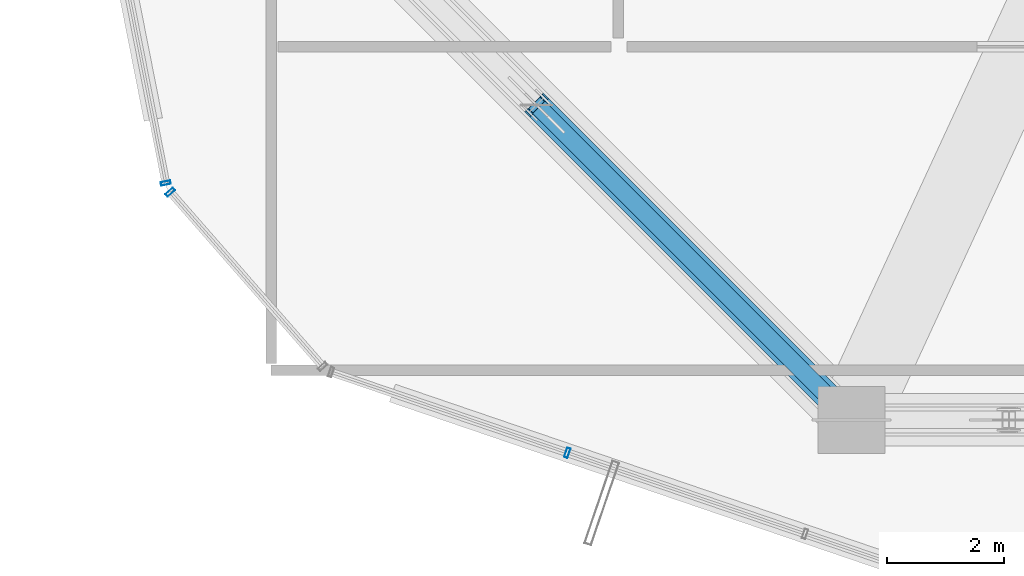
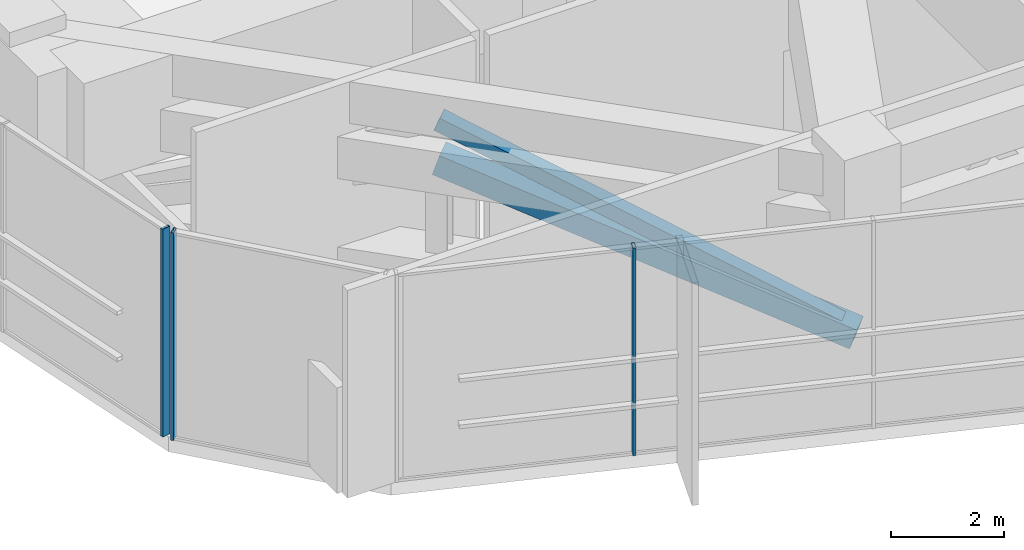
# One storey, part 4 of 36: 5 members, 3 elements without a shape of their own.
"""IFC4 building model written with IfcOpenShell, lengths in metres."""

from ifc_helpers import new_model, si_unit, direction, frame, origin, origin_2d, place, context, subcontext, project, spatial, hollow_rectangle, extrude, source, transform, mapped, material, layer, layer_set, material_profile, profile_set, type_object, element, aggregate, save


model = new_model("IFC4")

# Units and contexts
model_context = context("Model", 3, precision=1e-05, world=origin(), true_north=direction((0.0, 1.0)))
body_context = subcontext(model_context, "Body", "Model", "MODEL_VIEW")
ifc_project = project(units=[si_unit("LENGTHUNIT", "METRE"), si_unit("AREAUNIT", "SQUARE_METRE"), si_unit("VOLUMEUNIT", "CUBIC_METRE"), si_unit("PLANEANGLEUNIT", "RADIAN"), si_unit("MASSUNIT", "GRAM", prefix="KILO")], contexts=[model_context])

# Site, building, storey
site_placement = place(None, origin())
site = spatial("IfcSite", under=ifc_project, at=site_placement, CompositionType="ELEMENT")
building_placement = place(site_placement, origin())
building = spatial("IfcBuilding", under=site, at=building_placement, Name="Veraguas Prism Commons", CompositionType="ELEMENT")
storey_placement = place(building_placement, frame((0.0, 0.0, 169.550048828125)))
storey = spatial("IfcBuildingStorey", under=building, at=storey_placement, Name="L48", CompositionType="ELEMENT", Elevation=169.550048828125)

# Members
ifc_material_1 = material(Name="Steel ASTM A500 Grade C", Category="steel")
ifc_material_profile_1 = material_profile(ifc_material_1, hollow_rectangle(XDim=0.449951171875, YDim=0.449951171875, WallThickness=0.02197265625, at=origin_2d()), Name="HSS450X450X22")
ifc_profile_set_1 = profile_set([ifc_material_profile_1], Name="Steel ASTM A500 Grade C")
member_type_1 = type_object("IfcMemberType", Name="Mid Belt Diagonal HSS 450x450x22", PredefinedType="BRACE", material=ifc_profile_set_1)
member_1_placement = place(storey_placement, frame((18.60009765625, 7.800048828125, 0.550048828125), z_axis=(-0.675100753948, 0.675070232643, 0.297521684954), x_axis=(-0.707090796496, -0.707122765516, 0.0)))
element("IfcMember", 1, at=member_1_placement, inside=storey, type_object=member_type_1, Name="Perimeter Belt Truss Brace L48-09B", PredefinedType="BRACE", context=body_context, shape_type="SweptSolid", body=[
    extrude(hollow_rectangle(XDim=0.449951171875, YDim=0.449951171875, WallThickness=0.02197265625, at=origin_2d()), origin(), (0.0, 0.0, 1.0), 7.9990234375),
])
ifc_material_profile_2 = material_profile(ifc_material_1, hollow_rectangle(XDim=0.300048828125, YDim=0.300048828125, WallThickness=0.01611328125, at=origin_2d()), Name="HSS300X300X16")
ifc_profile_set_2 = profile_set([ifc_material_profile_2], Name="Steel ASTM A500 Grade C")
member_type_2 = type_object("IfcMemberType", Name="Sky Pool Bracket Strut HSS 300x300x16", PredefinedType="STRUT", material=ifc_profile_set_2)
member_2_placement = place(storey_placement, frame((18.60009765625, 7.800048828125, 0.599853515625), z_axis=(-0.653390129509, 0.653360589741, 0.382362757646), x_axis=(-0.707090796496, -0.707122765516, 0.0)))
element("IfcMember", 2, at=member_2_placement, inside=storey, type_object=member_type_2, Name="Sky Pool Sub-Truss Strut 03B", PredefinedType="STRUT", context=body_context, shape_type="SweptSolid", body=[
    extrude(hollow_rectangle(XDim=0.300048828125, YDim=0.300048828125, WallThickness=0.01611328125, at=origin_2d()), origin(), (0.0, 0.0, 1.0), 8.264892578125),
])

# Curtain wall, member
ifc_material_2 = material(Name="Anodised aluminium EN AW-6063 T6", Category="aluminium")
ifc_layer = layer(ifc_material_2, 0.169921875, Name="Unitised Flush Curtain Wall Zone 2", Category="aluminium")
ifc_layer_set = layer_set([ifc_layer], Name="Anodised aluminium EN AW-6063 T6")
curtain_wall_type = type_object("IfcCurtainWallType", Name="Unitised Flush Curtain Wall Zone 2", PredefinedType="NOTDEFINED", material=ifc_layer_set)
curtain_wall_1_placement = place(storey_placement, origin())
curtain_wall_1 = element("IfcCurtainWall", 3, at=curtain_wall_1_placement, inside=storey, type_object=curtain_wall_type, Name="Tower Facade Curtain Wall L48-F3", PredefinedType="NOTDEFINED")
ifc_material_profile_3 = material_profile(ifc_material_2, hollow_rectangle(XDim=0.06005859375, YDim=0.169921875, WallThickness=0.00390625, at=origin_2d()), Name="AL60X170X4")
ifc_profile_set_3 = profile_set([ifc_material_profile_3], Name="Anodised aluminium EN AW-6063 T6")
member_type_3 = type_object("IfcMemberType", Name="Curtain Wall Mullion Lower AL 60x170x4", PredefinedType="MULLION", material=ifc_profile_set_3)
shared_shape = source(origin(), body_context, "Body", "SweptSolid", [
    extrude(hollow_rectangle(XDim=0.06005859375, YDim=0.169921875, WallThickness=0.00390625, at=origin_2d()), origin(), (0.0, 0.0, 1.0), 4.47998046875),
])
member_3_placement = place(storey_placement, frame((6.84228515625, 11.862548828125, 0.0), z_axis=(0.0, 0.0, 1.0), x_axis=(0.193549468051, -0.981090517443, 0.0)))
member_3 = element("IfcMember", 4, at=member_3_placement, type_object=member_type_3, Name="CW-Z2 Mullion 5", PredefinedType="MULLION", context=body_context, shape_type="MappedRepresentation", body=[
    mapped(shared_shape, transform((0.0, 0.0, 0.0), scale=1.0)),
])
aggregate(curtain_wall_1, [member_3])

curtain_wall_2_placement = place(storey_placement, origin())
curtain_wall_2 = element("IfcCurtainWall", 5, at=curtain_wall_2_placement, inside=storey, type_object=curtain_wall_type, Name="Tower Facade Curtain Wall L48-F4", PredefinedType="NOTDEFINED")
member_4_placement = place(storey_placement, frame((13.727783203125, 7.236572265625, 0.0), z_axis=(0.0, 0.0, 1.0), x_axis=(0.946424609155, -0.322924850679, 0.0)))
member_4 = element("IfcMember", 6, at=member_4_placement, type_object=member_type_3, Name="CW-Z2 Mullion 2", PredefinedType="MULLION", context=body_context, shape_type="MappedRepresentation", body=[
    mapped(shared_shape, transform((0.0, 0.0, 0.0), scale=1.0)),
])
aggregate(curtain_wall_2, [member_4])

curtain_wall_3_placement = place(storey_placement, origin())
curtain_wall_3 = element("IfcCurtainWall", 7, at=curtain_wall_3_placement, inside=storey, type_object=curtain_wall_type, Name="Chamfer Curtain Wall L48-C4", PredefinedType="NOTDEFINED")
member_5_placement = place(storey_placement, frame((6.9189453125, 11.706298828125, 0.0), z_axis=(0.0, 0.0, 1.0), x_axis=(0.658186352891, -0.752855049042, 0.0)))
member_5 = element("IfcMember", 8, at=member_5_placement, type_object=member_type_3, Name="CW-Z2 Mullion 1", PredefinedType="MULLION", context=body_context, shape_type="MappedRepresentation", body=[
    mapped(shared_shape, transform((0.0, 0.0, 0.0), scale=1.0)),
])
aggregate(curtain_wall_3, [member_5])

save(model, "model.ifc")
